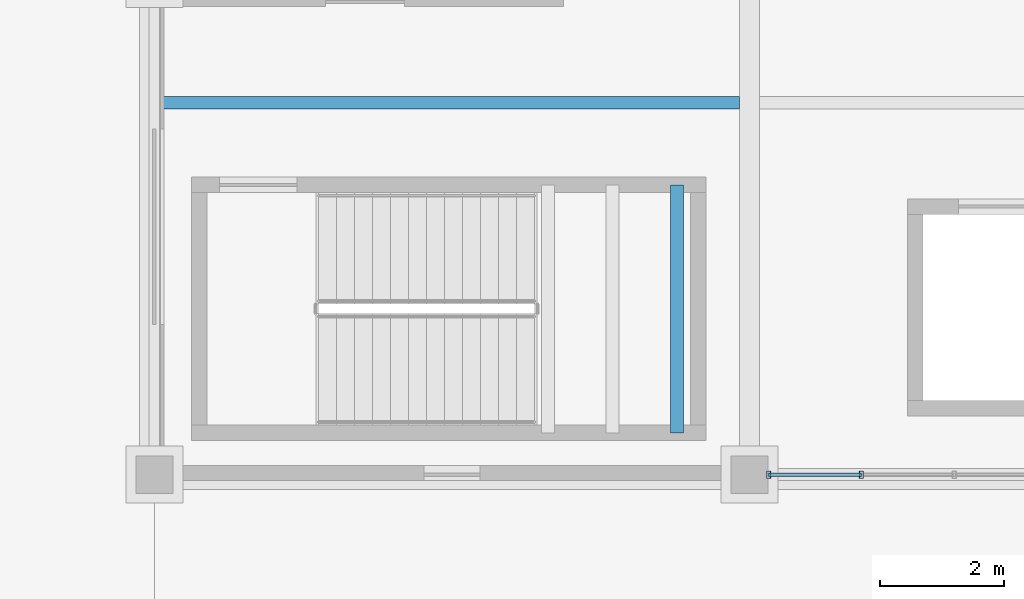
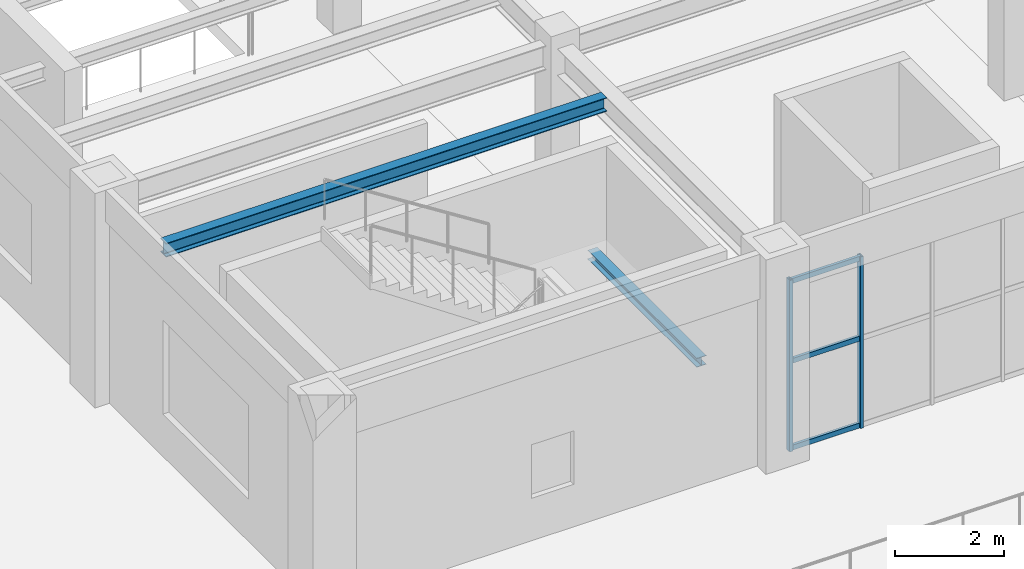
# One storey, part 16 of 83: 5 members, 2 beams, 1 element without a shape of its own.
"""IFC4 building model written with IfcOpenShell, lengths in metres."""

from ifc_helpers import new_model, si_unit, direction, frame, origin, origin_2d, place, context, subcontext, project, spatial, hollow_rectangle, i_section, extrude, material, material_profile, profile_set, type_object, element, aggregate, save


model = new_model("IFC4")

# Units and contexts
model_context = context("Model", 3, precision=1e-05, world=origin(), true_north=direction((0.0, 1.0)))
body_context = subcontext(model_context, "Body", "Model", "MODEL_VIEW")
ifc_project = project(units=[si_unit("LENGTHUNIT", "METRE"), si_unit("AREAUNIT", "SQUARE_METRE"), si_unit("VOLUMEUNIT", "CUBIC_METRE"), si_unit("PLANEANGLEUNIT", "RADIAN"), si_unit("MASSUNIT", "GRAM", prefix="KILO")], contexts=[model_context])

# Site, building, storey
site_placement = place(None, origin())
site = spatial("IfcSite", under=ifc_project, at=site_placement, CompositionType="ELEMENT")
building_placement = place(site_placement, origin())
building = spatial("IfcBuilding", under=site, at=building_placement, Name="Mavantir Sound Aquarium", CompositionType="ELEMENT")
storey_placement = place(building_placement, frame((0.0, 0.0, 10.5)))
storey = spatial("IfcBuildingStorey", under=building, at=storey_placement, Name="L02", CompositionType="ELEMENT", Elevation=10.5)

# Beams
ifc_material_1 = material(Name="Structural Steel ASTM A992 Gr50", Category="steel")
ifc_material_profile_1 = material_profile(ifc_material_1, i_section(OverallWidth=0.202880859375, OverallDepth=0.202880859375, WebThickness=0.007080078125, FlangeThickness=0.010986328125, FilletRadius=0.010009765625, at=origin_2d()), Name="W200X46")
ifc_profile_set_1 = profile_set([ifc_material_profile_1], Name="Structural Steel ASTM A992 Gr50")
beam_type_1 = type_object("IfcBeamType", Name="BM-W200X46-I", PredefinedType="LINTEL", material=ifc_profile_set_1)
beam_1_placement = place(storey_placement, frame((116.429931640625, 41.47509765625, 2.095458984375), z_axis=(0.0, 1.0, 0.0), x_axis=(-1.0, 0.0, 0.0)))
element("IfcBeam", 1, at=beam_1_placement, inside=storey, type_object=beam_type_1, Name="Stair ST4 landing support beam 66", PredefinedType="LINTEL", context=body_context, shape_type="SweptSolid", body=[
    extrude(i_section(OverallWidth=0.202880859375, OverallDepth=0.202880859375, WebThickness=0.007080078125, FlangeThickness=0.010986328125, FilletRadius=0.010009765625, at=origin_2d()), origin(), (0.0, 0.0, 1.0), 4.0),
])
ifc_material_profile_2 = material_profile(ifc_material_1, i_section(OverallWidth=0.205078125, OverallDepth=0.31005859375, WebThickness=0.009521484375, FlangeThickness=0.016357421875, FilletRadius=0.012939453125, at=origin_2d()), Name="W310X74")
ifc_profile_set_2 = profile_set([ifc_material_profile_2], Name="Structural Steel ASTM A992 Gr50")
beam_type_2 = type_object("IfcBeamType", Name="BM-W310X74-I", PredefinedType="JOIST", material=ifc_profile_set_2)
beam_2_placement = place(storey_placement, frame((108.10009765625, 46.800048828125, 4.3310546875), z_axis=(1.0, 0.0, 0.0), x_axis=(0.0, 1.0, 0.0)))
element("IfcBeam", 2, at=beam_2_placement, inside=storey, type_object=beam_type_2, Name="L02 secondary floor joist SJ-31 891", PredefinedType="JOIST", context=body_context, shape_type="SweptSolid", body=[
    extrude(i_section(OverallWidth=0.205078125, OverallDepth=0.31005859375, WebThickness=0.009521484375, FlangeThickness=0.016357421875, FilletRadius=0.012939453125, at=origin_2d()), origin(), (0.0, 0.0, 1.0), 9.337890625),
])

# Curtain wall, members
ifc_material_2 = material(Name="Anodised Marine Aluminium and Low-E Glass", Category="aluminium")
curtain_wall_type = type_object("IfcCurtainWallType", Name="CW-T14", PredefinedType="USERDEFINED", material=ifc_material_2)
curtain_wall_placement = place(storey_placement, origin())
curtain_wall = element("IfcCurtainWall", 3, at=curtain_wall_placement, inside=storey, type_object=curtain_wall_type, Name="L02 unitised curtain wall CW-14 134", ObjectType="UNITISED GLAZING", PredefinedType="USERDEFINED")
ifc_material_3 = material(Name="Anodised Marine Aluminium 6063-T6", Category="aluminium")
ifc_material_profile_3 = material_profile(ifc_material_3, hollow_rectangle(XDim=0.06494140625, YDim=0.1201171875, WallThickness=0.00390625, at=origin_2d()), Name="ALU-MULLION-120X65")
ifc_profile_set_3 = profile_set([ifc_material_profile_3], Name="Anodised Marine Aluminium 6063-T6")
member_type_1 = type_object("IfcMemberType", Name="CW-MUL-120", PredefinedType="MULLION", material=ifc_profile_set_3)
member_1_placement = place(storey_placement, frame((117.907958984375, 40.800048828125, 0.0), z_axis=(0.0, 0.0, 1.0), x_axis=(1.0, 0.0, 0.0)))
member_1 = element("IfcMember", 4, at=member_1_placement, type_object=member_type_1, Name="CW-L02-134 vertical mullion 1", PredefinedType="MULLION", context=body_context, shape_type="SweptSolid", body=[
    extrude(hollow_rectangle(XDim=0.06494140625, YDim=0.1201171875, WallThickness=0.00390625, at=origin_2d()), origin(), (0.0, 0.0, 1.0), 3.844970703125),
])
member_2_placement = place(storey_placement, frame((119.4052734375, 40.800048828125, 0.0), z_axis=(0.0, 0.0, 1.0), x_axis=(1.0, 0.0, 0.0)))
member_2 = element("IfcMember", 5, at=member_2_placement, type_object=member_type_1, Name="CW-L02-134 vertical mullion 2", PredefinedType="MULLION", context=body_context, shape_type="SweptSolid", body=[
    extrude(hollow_rectangle(XDim=0.06494140625, YDim=0.1201171875, WallThickness=0.00390625, at=origin_2d()), origin(), (0.0, 0.0, 1.0), 3.844970703125),
])
ifc_material_profile_4 = material_profile(ifc_material_3, hollow_rectangle(XDim=0.06005859375, YDim=0.110107421875, WallThickness=0.00390625, at=origin_2d()), Name="ALU-TRANSOM-110X60")
ifc_profile_set_4 = profile_set([ifc_material_profile_4], Name="Anodised Marine Aluminium 6063-T6")
member_type_2 = type_object("IfcMemberType", Name="CW-TRN-110", PredefinedType="USERDEFINED", material=ifc_profile_set_4)
member_3_placement = place(storey_placement, frame((117.907958984375, 40.800048828125, 0.054931640625), z_axis=(1.0, 0.0, 0.0), x_axis=(0.0, 1.0, 0.0)))
member_3 = element("IfcMember", 6, at=member_3_placement, type_object=member_type_2, Name="CW-L02-134 transom 1.1", ObjectType="TRANSOM", PredefinedType="USERDEFINED", context=body_context, shape_type="SweptSolid", body=[
    extrude(hollow_rectangle(XDim=0.06005859375, YDim=0.110107421875, WallThickness=0.00390625, at=origin_2d()), origin(), (0.0, 0.0, 1.0), 1.497314453125),
])
member_4_placement = place(storey_placement, frame((117.907958984375, 40.800048828125, 1.99951171875), z_axis=(1.0, 0.0, 0.0), x_axis=(0.0, 1.0, 0.0)))
member_4 = element("IfcMember", 7, at=member_4_placement, type_object=member_type_2, Name="CW-L02-134 transom 1.2", ObjectType="TRANSOM", PredefinedType="USERDEFINED", context=body_context, shape_type="SweptSolid", body=[
    extrude(hollow_rectangle(XDim=0.06005859375, YDim=0.110107421875, WallThickness=0.00390625, at=origin_2d()), origin(), (0.0, 0.0, 1.0), 1.497314453125),
])
member_5_placement = place(storey_placement, frame((117.907958984375, 40.800048828125, 3.7900390625), z_axis=(1.0, 0.0, 0.0), x_axis=(0.0, 1.0, 0.0)))
member_5 = element("IfcMember", 8, at=member_5_placement, type_object=member_type_2, Name="CW-L02-134 transom 1.3", ObjectType="TRANSOM", PredefinedType="USERDEFINED", context=body_context, shape_type="SweptSolid", body=[
    extrude(hollow_rectangle(XDim=0.06005859375, YDim=0.110107421875, WallThickness=0.00390625, at=origin_2d()), origin(), (0.0, 0.0, 1.0), 1.497314453125),
])
aggregate(curtain_wall, [member_1, member_2, member_3, member_4, member_5])

save(model, "model.ifc")
